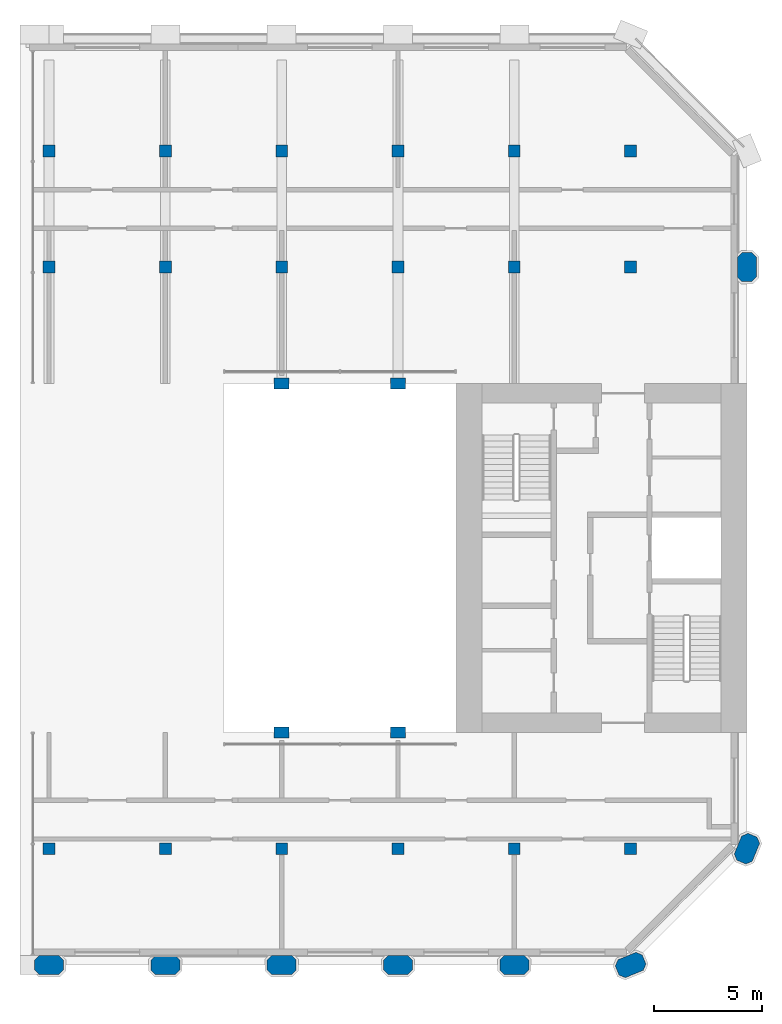
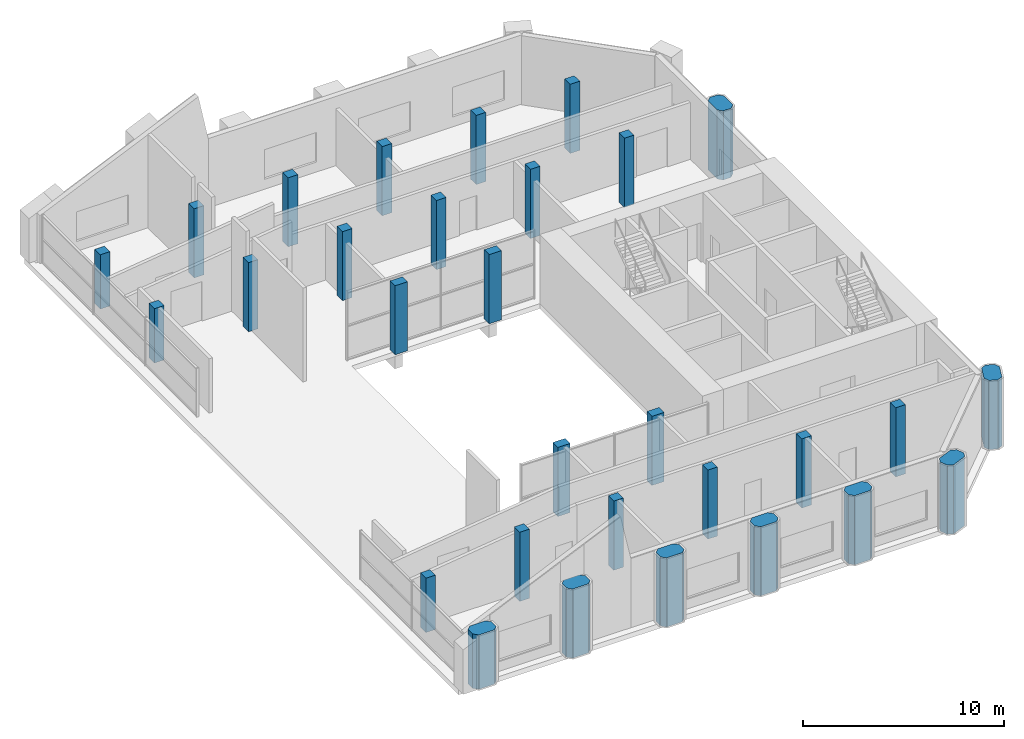
# One storey, part 1 of 9: 30 columns.
"""IFC4 building model written with IfcOpenShell, lengths in metres."""

from ifc_helpers import new_model, si_unit, direction, frame, origin, origin_2d, place, context, subcontext, project, spatial, polyline, rectangle, outline, extrude, material, material_profile, profile_set, type_object, element, save


model = new_model("IFC4")

# Units and contexts
model_context = context("Model", 3, precision=1e-05, world=origin(), true_north=direction((0.0, 1.0)))
body_context = subcontext(model_context, "Body", "Model", "MODEL_VIEW")
ifc_project = project(units=[si_unit("LENGTHUNIT", "METRE"), si_unit("AREAUNIT", "SQUARE_METRE"), si_unit("VOLUMEUNIT", "CUBIC_METRE"), si_unit("PLANEANGLEUNIT", "RADIAN"), si_unit("MASSUNIT", "GRAM", prefix="KILO")], contexts=[model_context])

# Site, building, storey
site_placement = place(None, origin())
site = spatial("IfcSite", under=ifc_project, at=site_placement, CompositionType="ELEMENT")
building_placement = place(site_placement, origin())
building = spatial("IfcBuilding", under=site, at=building_placement, Name="Tabaq Tower and Sports Hall", CompositionType="ELEMENT")
storey_placement = place(building_placement, frame((0.0, 0.0, 326.199951171875)))
storey = spatial("IfcBuildingStorey", under=building, at=storey_placement, Name="L81", CompositionType="ELEMENT", Elevation=326.199951171875)

# Columns
ifc_material_1 = material(Name="Concrete C40/50", Category="concrete")
ifc_material_profile_1 = material_profile(ifc_material_1, rectangle(XDim=0.699951171875, YDim=0.5, at=origin_2d()), Name="ATRIUM COLUMN 700x500")
ifc_profile_set_1 = profile_set([ifc_material_profile_1], Name="Concrete C40/50")
column_type_1 = type_object("IfcColumnType", Name="RC COLUMN ATRIUM COLUMN 700x500 C40/50", PredefinedType="COLUMN", material=ifc_profile_set_1)
for number, where, z_axis, x_axis, name in (
    (1, (21.60009765625, 16.199951171875, 0.0), (0.0, 0.0, 1.0), (1.0, 0.0, 0.0), "Atrium Column 5/D L81"),
    (2, (27.0, 16.199951171875, 0.0), (0.0, 0.0, 1.0), (1.0, 0.0, 0.0), "Atrium Column 6/D L81"),
    (3, (21.60009765625, 32.39990234375, 0.0), (0.0, 0.0, 1.0), (1.0, 0.0, 0.0), "Atrium Column 5/G L81"),
    (4, (27.0, 32.39990234375, 0.0), (0.0, 0.0, 1.0), (1.0, 0.0, 0.0), "Atrium Column 6/G L81"),
):
    element("IfcColumn", number, at=place(storey_placement, frame(where, z_axis=z_axis, x_axis=x_axis)), inside=storey, type_object=column_type_1, Name=name, PredefinedType="COLUMN", context=body_context, shape_type="SweptSolid", body=[
        extrude(rectangle(XDim=0.699951171875, YDim=0.5, at=origin_2d()), origin(), (0.0, 0.0, 1.0), 4.199951171875),
    ])
ifc_material_2 = material(Name="Concrete C40/50", Category="concrete")
ifc_material_profile_2 = material_profile(ifc_material_2, rectangle(XDim=0.550048828125, YDim=0.550048828125, at=origin_2d()), Name="COLUMN 550x550")
ifc_profile_set_2 = profile_set([ifc_material_profile_2], Name="Concrete C40/50")
column_type_2 = type_object("IfcColumnType", Name="RC COLUMN COLUMN 550x550 C40/50", PredefinedType="COLUMN", material=ifc_profile_set_2)
column_1_placement = place(storey_placement, frame((10.800048828125, 10.800048828125, 0.0), z_axis=(0.0, 0.0, 1.0), x_axis=(1.0, 0.0, 0.0)))
element("IfcColumn", 5, at=column_1_placement, inside=storey, type_object=column_type_2, Name="Column 3/C L81", PredefinedType="COLUMN", context=body_context, shape_type="SweptSolid", body=[
    extrude(rectangle(XDim=0.550048828125, YDim=0.550048828125, at=origin_2d()), origin(), (0.0, 0.0, 1.0), 3.300048828125),
])
for number, where, z_axis, x_axis, name in (
    (6, (16.199951171875, 10.800048828125, 0.0), (0.0, 0.0, 1.0), (1.0, 0.0, 0.0), "Column 4/C L81"),
    (7, (21.60009765625, 10.800048828125, 0.0), (0.0, 0.0, 1.0), (1.0, 0.0, 0.0), "Column 5/C L81"),
    (8, (27.0, 10.800048828125, 0.0), (0.0, 0.0, 1.0), (1.0, 0.0, 0.0), "Column 6/C L81"),
    (9, (32.39990234375, 10.800048828125, 0.0), (0.0, 0.0, 1.0), (1.0, 0.0, 0.0), "Column 7/C L81"),
    (10, (37.800048828125, 10.800048828125, 0.0), (0.0, 0.0, 1.0), (1.0, 0.0, 0.0), "Column 8/C L81"),
):
    element("IfcColumn", number, at=place(storey_placement, frame(where, z_axis=z_axis, x_axis=x_axis)), inside=storey, type_object=column_type_2, Name=name, PredefinedType="COLUMN", context=body_context, shape_type="SweptSolid", body=[
        extrude(rectangle(XDim=0.550048828125, YDim=0.550048828125, at=origin_2d()), origin(), (0.0, 0.0, 1.0), 4.199951171875),
    ])
column_2_placement = place(storey_placement, frame((10.800048828125, 37.800048828125, 0.0), z_axis=(0.0, 0.0, 1.0), x_axis=(1.0, 0.0, 0.0)))
element("IfcColumn", 11, at=column_2_placement, inside=storey, type_object=column_type_2, Name="Column 3/H L81", PredefinedType="COLUMN", context=body_context, shape_type="SweptSolid", body=[
    extrude(rectangle(XDim=0.550048828125, YDim=0.550048828125, at=origin_2d()), origin(), (0.0, 0.0, 1.0), 3.300048828125),
])
for number, where, z_axis, x_axis, name in (
    (12, (16.199951171875, 37.800048828125, 0.0), (0.0, 0.0, 1.0), (1.0, 0.0, 0.0), "Column 4/H L81"),
    (13, (21.60009765625, 37.800048828125, 0.0), (0.0, 0.0, 1.0), (1.0, 0.0, 0.0), "Column 5/H L81"),
    (14, (27.0, 37.800048828125, 0.0), (0.0, 0.0, 1.0), (1.0, 0.0, 0.0), "Column 6/H L81"),
    (15, (32.39990234375, 37.800048828125, 0.0), (0.0, 0.0, 1.0), (1.0, 0.0, 0.0), "Column 7/H L81"),
    (16, (37.800048828125, 37.800048828125, 0.0), (0.0, 0.0, 1.0), (1.0, 0.0, 0.0), "Column 8/H L81"),
):
    element("IfcColumn", number, at=place(storey_placement, frame(where, z_axis=z_axis, x_axis=x_axis)), inside=storey, type_object=column_type_2, Name=name, PredefinedType="COLUMN", context=body_context, shape_type="SweptSolid", body=[
        extrude(rectangle(XDim=0.550048828125, YDim=0.550048828125, at=origin_2d()), origin(), (0.0, 0.0, 1.0), 4.199951171875),
    ])
column_3_placement = place(storey_placement, frame((10.800048828125, 43.199951171875, 0.0), z_axis=(0.0, 0.0, 1.0), x_axis=(1.0, 0.0, 0.0)))
element("IfcColumn", 17, at=column_3_placement, inside=storey, type_object=column_type_2, Name="Column 3/I L81", PredefinedType="COLUMN", context=body_context, shape_type="SweptSolid", body=[
    extrude(rectangle(XDim=0.550048828125, YDim=0.550048828125, at=origin_2d()), origin(), (0.0, 0.0, 1.0), 3.300048828125),
])
for number, where, z_axis, x_axis, name in (
    (18, (16.199951171875, 43.199951171875, 0.0), (0.0, 0.0, 1.0), (1.0, 0.0, 0.0), "Column 4/I L81"),
    (19, (21.60009765625, 43.199951171875, 0.0), (0.0, 0.0, 1.0), (1.0, 0.0, 0.0), "Column 5/I L81"),
    (20, (27.0, 43.199951171875, 0.0), (0.0, 0.0, 1.0), (1.0, 0.0, 0.0), "Column 6/I L81"),
    (21, (32.39990234375, 43.199951171875, 0.0), (0.0, 0.0, 1.0), (1.0, 0.0, 0.0), "Column 7/I L81"),
    (22, (37.800048828125, 43.199951171875, 0.0), (0.0, 0.0, 1.0), (1.0, 0.0, 0.0), "Column 8/I L81"),
):
    element("IfcColumn", number, at=place(storey_placement, frame(where, z_axis=z_axis, x_axis=x_axis)), inside=storey, type_object=column_type_2, Name=name, PredefinedType="COLUMN", context=body_context, shape_type="SweptSolid", body=[
        extrude(rectangle(XDim=0.550048828125, YDim=0.550048828125, at=origin_2d()), origin(), (0.0, 0.0, 1.0), 4.199951171875),
    ])
ifc_material_3 = material(Name="Concrete C40/50", Category="concrete")
ifc_material_profile_3 = material_profile(ifc_material_3, outline(polyline([(-0.449951171875, -0.449951171875), (0.449951171875, -0.449951171875), (0.675048828125, -0.22509765625), (0.675048828125, 0.22509765625), (0.449951171875, 0.449951171875), (-0.449951171875, 0.449951171875), (-0.675048828125, 0.22509765625), (-0.675048828125, -0.22509765625), (-0.449951171875, -0.449951171875)])), Name="PIER 1350x900")
ifc_profile_set_3 = profile_set([ifc_material_profile_3], Name="Concrete C40/50")
column_type_3 = type_object("IfcColumnType", Name="RC COLUMN PIER 1350x900 C40/50", PredefinedType="COLUMN", material=ifc_profile_set_3)
column_4_placement = place(storey_placement, frame((10.800048828125, 5.39990234375, 0.0), z_axis=(0.0, 0.0, 1.0), x_axis=(1.0, 0.0, 0.0)))
element("IfcColumn", 23, at=column_4_placement, inside=storey, type_object=column_type_3, Name="Pier 3/B L81", PredefinedType="COLUMN", context=body_context, shape_type="SweptSolid", body=[
    extrude(outline(polyline([(-0.449951171875, -0.449951171875), (0.449951171875, -0.449951171875), (0.675048828125, -0.22509765625), (0.675048828125, 0.22509765625), (0.449951171875, 0.449951171875), (-0.449951171875, 0.449951171875), (-0.675048828125, 0.22509765625), (-0.675048828125, -0.22509765625), (-0.449951171875, -0.449951171875)])), origin(), (0.0, 0.0, 1.0), 3.300048828125),
])
for number, where, z_axis, x_axis, name in (
    (24, (16.199951171875, 5.39990234375, 0.0), (0.0, 0.0, 1.0), (1.0, 0.0, 0.0), "Pier 4/B L81"),
    (25, (21.60009765625, 5.39990234375, 0.0), (0.0, 0.0, 1.0), (1.0, 0.0, 0.0), "Pier 5/B L81"),
    (26, (27.0, 5.39990234375, 0.0), (0.0, 0.0, 1.0), (1.0, 0.0, 0.0), "Pier 6/B L81"),
    (27, (32.39990234375, 5.39990234375, 0.0), (0.0, 0.0, 1.0), (1.0, 0.0, 0.0), "Pier 7/B L81"),
    (28, (37.800048828125, 5.39990234375, 0.0), (0.0, 0.0, 1.0), (0.923879532511, 0.382683432365, 0.0), "Pier 8/B L81"),
    (29, (43.199951171875, 10.800048828125, 0.0), (0.0, 0.0, 1.0), (0.382683432365, 0.923879532511, 0.0), "Pier 9/C L81"),
    (30, (43.199951171875, 37.800048828125, 0.0), (0.0, 0.0, 1.0), (0.0, 1.0, 0.0), "Pier 9/H L81"),
):
    element("IfcColumn", number, at=place(storey_placement, frame(where, z_axis=z_axis, x_axis=x_axis)), inside=storey, type_object=column_type_3, Name=name, PredefinedType="COLUMN", context=body_context, shape_type="SweptSolid", body=[
        extrude(outline(polyline([(-0.449951171875, -0.449951171875), (0.449951171875, -0.449951171875), (0.675048828125, -0.22509765625), (0.675048828125, 0.22509765625), (0.449951171875, 0.449951171875), (-0.449951171875, 0.449951171875), (-0.675048828125, 0.22509765625), (-0.675048828125, -0.22509765625), (-0.449951171875, -0.449951171875)])), origin(), (0.0, 0.0, 1.0), 4.199951171875),
    ])

save(model, "model.ifc")
